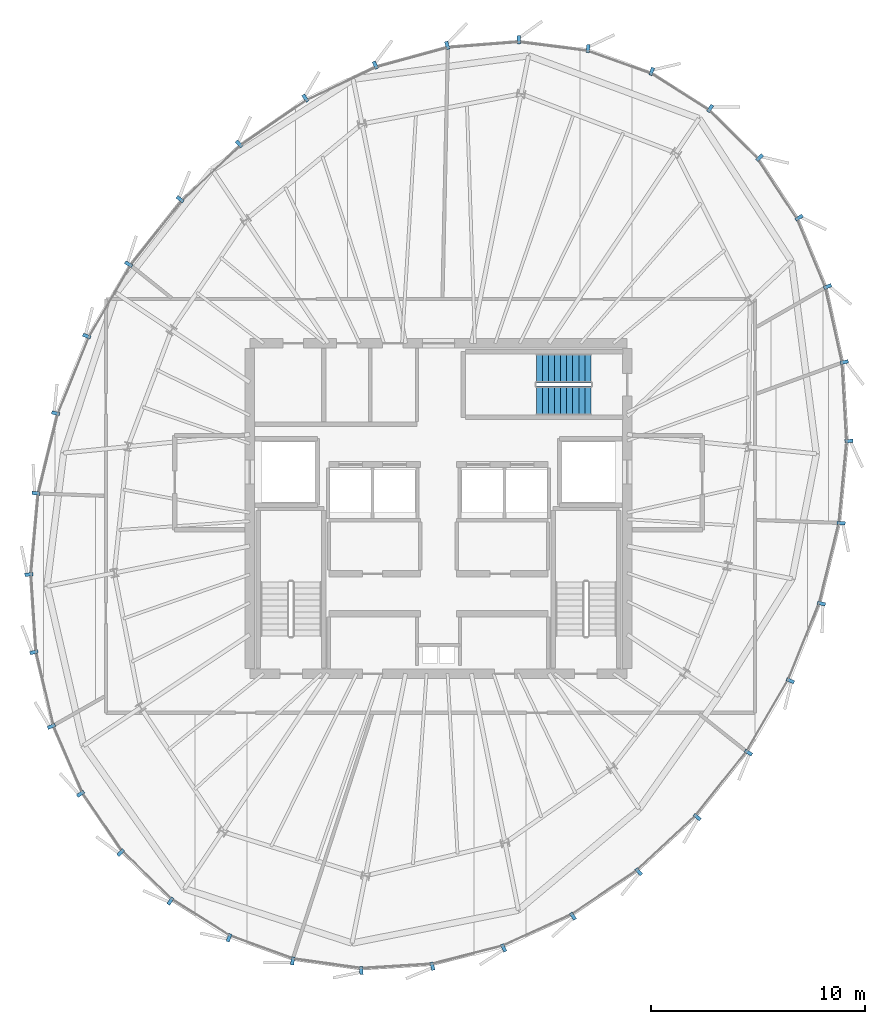
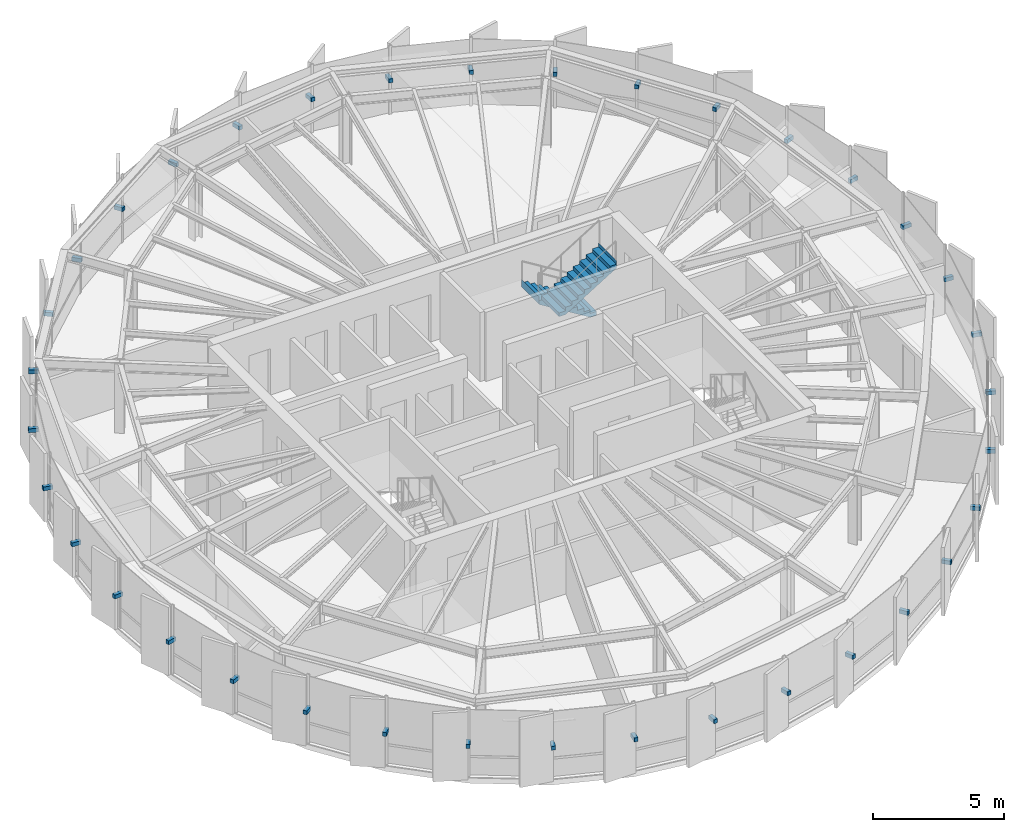
# One storey, part 27 of 31: 36 discrete accessories, 2 stair flights, 1 element without a shape of its own.
"""IFC4 building model written with IfcOpenShell, lengths in metres."""

from ifc_helpers import new_model, si_unit, direction, frame, origin, origin_2d, place, context, subcontext, project, spatial, polyline, rectangle, outline, extrude, source, transform, mapped, material, type_object, element, aggregate, save


model = new_model("IFC4")

# Units and contexts
model_context = context("Model", 3, precision=1e-05, world=origin(), true_north=direction((0.0, 1.0)))
body_context = subcontext(model_context, "Body", "Model", "MODEL_VIEW")
ifc_project = project(units=[si_unit("LENGTHUNIT", "METRE"), si_unit("AREAUNIT", "SQUARE_METRE"), si_unit("VOLUMEUNIT", "CUBIC_METRE"), si_unit("PLANEANGLEUNIT", "RADIAN"), si_unit("MASSUNIT", "GRAM", prefix="KILO"), si_unit("THERMODYNAMICTEMPERATUREUNIT", "KELVIN")], contexts=[model_context])

# Site, building, storey
site_placement = place(None, origin())
site = spatial("IfcSite", under=ifc_project, at=site_placement, CompositionType="ELEMENT")
building_placement = place(site_placement, origin())
building = spatial("IfcBuilding", under=site, at=building_placement, Name="Kethvar Cultural Tower", CompositionType="ELEMENT")
storey_placement = place(building_placement, frame((0.0, 0.0, 290.5)))
storey = spatial("IfcBuildingStorey", under=building, at=storey_placement, Name="L77", CompositionType="ELEMENT", Elevation=290.5)

# Stair, stair flights
ifc_material_1 = material(Name="Concrete C40/50", Category="concrete")
stair_type = type_object("IfcStairType", Name="ST-DOGLEG-135", PredefinedType="HALF_TURN_STAIR", material=ifc_material_1)
stair_placement = place(storey_placement, origin())
stair = element("IfcStair", 1, at=stair_placement, inside=storey, type_object=stair_type, Name="L77 Core Exit Stair 3", PredefinedType="HALF_TURN_STAIR")
stair_flight_type = type_object("IfcStairFlightType", Name="FL-STRAIGHT-135", PredefinedType="STRAIGHT", material=ifc_material_1)
stair_flight_1_placement = place(storey_placement, frame((53.89990234375, 34.3349609375, 0.0), z_axis=(0.0, 0.0, 1.0), x_axis=(-1.0, 0.0, 0.0)))
stair_flight_1 = element("IfcStairFlight", 2, at=stair_flight_1_placement, type_object=stair_flight_type, Name="ST-03 flight 1", NumberOfRisers=10, NumberOfTreads=9, PredefinedType="STRAIGHT", RiserHeight=0.1725, TreadLength=0.28, context=body_context, shape_type="SweptSolid", body=[
    extrude(outline(polyline([(-0.0009765625, -0.0009765625), (-0.0009765625, 0.172607421875), (0.280029296875, 0.172607421875), (0.280029296875, 0.344970703125), (0.56005859375, 0.344970703125), (0.56005859375, 0.517578125), (0.840087890625, 0.517578125), (0.840087890625, 0.68994140625), (1.1201171875, 0.68994140625), (1.1201171875, 0.862548828125), (1.39990234375, 0.862548828125), (1.39990234375, 1.034912109375), (1.679931640625, 1.034912109375), (1.679931640625, 1.20751953125), (1.9599609375, 1.20751953125), (1.9599609375, 1.3798828125), (2.239990234375, 1.3798828125), (2.239990234375, 1.552490234375), (2.52001953125, 1.552490234375), (2.52001953125, 1.72509765625), (2.52099609375, 1.72509765625), (2.52099609375, 1.37646484375), (0.285888671875, 0.0), (0.0, -0.0009765625), (-0.0009765625, -0.0009765625)])), frame((0.0, 0.675048828125, 0.0), z_axis=(0.0, -1.0, 0.0), x_axis=(1.0, 0.0, 0.0)), (0.0, 0.0, 1.0), 1.35009765625),
])
stair_flight_2_placement = place(storey_placement, frame((51.3798828125, 32.824951171875, 1.72509765625), z_axis=(0.0, 0.0, 1.0), x_axis=(1.0, 0.0, 0.0)))
stair_flight_2 = element("IfcStairFlight", 3, at=stair_flight_2_placement, type_object=stair_flight_type, Name="ST-03 flight 2", NumberOfRisers=10, NumberOfTreads=9, PredefinedType="STRAIGHT", RiserHeight=0.1725, TreadLength=0.28, context=body_context, shape_type="SweptSolid", body=[
    extrude(outline(polyline([(-0.0009765625, -0.0009765625), (-0.0009765625, 0.172607421875), (0.280029296875, 0.172607421875), (0.280029296875, 0.344970703125), (0.56005859375, 0.344970703125), (0.56005859375, 0.517578125), (0.840087890625, 0.517578125), (0.840087890625, 0.68994140625), (1.1201171875, 0.68994140625), (1.1201171875, 0.862548828125), (1.39990234375, 0.862548828125), (1.39990234375, 1.034912109375), (1.679931640625, 1.034912109375), (1.679931640625, 1.20751953125), (1.9599609375, 1.20751953125), (1.9599609375, 1.3798828125), (2.239990234375, 1.3798828125), (2.239990234375, 1.552490234375), (2.52001953125, 1.552490234375), (2.52001953125, 1.72509765625), (2.52099609375, 1.72509765625), (2.52099609375, 1.37646484375), (0.285888671875, 0.0), (0.0, -0.0009765625), (-0.0009765625, -0.0009765625)])), frame((0.0, 0.675048828125, 0.0), z_axis=(0.0, -1.0, 0.0), x_axis=(1.0, 0.0, 0.0)), (0.0, 0.0, 1.0), 1.35009765625),
])
aggregate(stair, [stair_flight_1, stair_flight_2])

# Discrete accessories
ifc_material_2 = material(Name="Steel S355J2", Category="steel")
discrete_accessory_type = type_object("IfcDiscreteAccessoryType", Name="Steel Fin Bracket BRK-01", PredefinedType="BRACKET", material=ifc_material_2)
shared_shape = source(origin(), body_context, "Body", "SweptSolid", [
    extrude(rectangle(XDim=0.3798828125, YDim=0.159912109375, at=origin_2d()), origin(), (0.0, 0.0, 1.0), 0.179931640625),
])
for number, where, z_axis, x_axis, name in (
    (4, (56.7421875, 48.177490234375, 1.51513671875), (0.0, 0.0, 1.0), (0.337752446654, 0.941234978514, 0.0), "L77 Terracotta Fin Bracket 1.1"),
    (5, (53.771484375, 49.2431640625, 1.51513671875), (0.0, 0.0, 1.0), (0.12671836439, 0.991938736075, 0.0), "L77 Terracotta Fin Bracket 1.2"),
    (6, (50.548583984375, 49.655029296875, 1.51513671875), (0.0, 0.0, 1.0), (-0.077937100301, 0.996958278162, 0.0), "L77 Terracotta Fin Bracket 1.3"),
    (7, (47.20751953125, 49.3935546875, 1.51513671875), (0.0, 0.0, 1.0), (-0.264378054854, 0.964419122639, 0.0), "L77 Terracotta Fin Bracket 1.4"),
    (8, (43.853515625, 48.47412109375, 1.51513671875), (0.0, 0.0, 1.0), (-0.427200064707, 0.904157123908, 0.0), "L77 Terracotta Fin Bracket 1.5"),
    (9, (40.592041015625, 46.932861328125, 1.51513671875), (0.0, 0.0, 1.0), (-0.56669387672, 0.823928425343, 0.0), "L77 Terracotta Fin Bracket 1.6"),
    (10, (37.499755859375, 44.799560546875, 1.51513671875), (0.0, 0.0, 1.0), (-0.684674324529, 0.72884914031, 0.0), "L77 Terracotta Fin Bracket 2.1"),
    (11, (34.75048828125, 42.216796875, 1.51513671875), (0.0, 0.0, 1.0), (-0.783476588107, 0.621421303053, 0.0), "L77 Terracotta Fin Bracket 2.2"),
    (12, (32.350830078125, 39.190673828125, 1.51513671875), (0.0, 0.0, 1.0), (-0.864274801954, 0.50301994663, 0.0), "L77 Terracotta Fin Bracket 2.3"),
    (13, (30.397705078125, 35.83447265625, 1.51513671875), (0.0, 0.0, 1.0), (-0.927183854567, 0.374606593416, 0.0), "L77 Terracotta Fin Bracket 2.4"),
    (14, (28.9453125, 32.23876953125, 1.51513671875), (0.0, 0.0, 1.0), (-0.971507769146, 0.237007709767, 0.0), "L77 Terracotta Fin Bracket 2.5"),
    (15, (28.03515625, 28.508056640625, 1.51513671875), (0.0, 0.0, 1.0), (-0.995915974681, 0.090284945449, 0.0), "L77 Terracotta Fin Bracket 2.6"),
    (16, (27.697509765625, 24.72021484375, 1.51513671875), (0.0, 0.0, 1.0), (-0.997847493041, -0.06557728747, 0.0), "L77 Terracotta Fin Bracket 3.1"),
    (17, (27.935546875, 21.095947265625, 1.51513671875), (0.0, 0.0, 1.0), (-0.97341924665, -0.229030500703, 0.0), "L77 Terracotta Fin Bracket 3.2"),
    (18, (28.749267578125, 17.6396484375, 1.51513671875), (0.0, 0.0, 1.0), (-0.917754625684, -0.397147890635, 0.0), "L77 Terracotta Fin Bracket 3.3"),
    (19, (30.111328125, 14.491943359375, 1.51513671875), (0.0, 0.0, 1.0), (-0.826393242792, -0.563093427655, 0.0), "L77 Terracotta Fin Bracket 3.4"),
    (20, (31.980712890625, 11.74853515625, 1.51513671875), (0.0, 0.0, 1.0), (-0.697165102855, -0.71691060765, 0.0), "L77 Terracotta Fin Bracket 3.5"),
    (21, (34.300537109375, 9.492919921875, 1.51513671875), (0.0, 0.0, 1.0), (-0.532728579387, -0.846286157694, 0.0), "L77 Terracotta Fin Bracket 3.6"),
    (22, (37.033935546875, 7.781494140625, 1.51513671875), (0.0, 0.0, 1.0), (-0.342184145417, -0.939632912698, 0.0), "L77 Terracotta Fin Bracket 4.1"),
    (23, (39.997802734375, 6.702392578125, 1.51513671875), (0.0, 0.0, 1.0), (-0.13917310096, -0.990268068742, 0.0), "L77 Terracotta Fin Bracket 4.2"),
    (24, (43.20166015625, 6.25244140625, 1.51513671875), (0.0, 0.0, 1.0), (0.061571153301, -0.998102696661, 0.0), "L77 Terracotta Fin Bracket 4.3"),
    (25, (46.51513671875, 6.457275390625, 1.51513671875), (0.0, 0.0, 1.0), (0.248689887165, -0.968583161129, 0.0), "L77 Terracotta Fin Bracket 4.4"),
    (26, (49.8369140625, 7.310302734375, 1.51513671875), (0.0, 0.0, 1.0), (0.415487175664, -0.909599036311, 0.0), "L77 Terracotta Fin Bracket 4.5"),
    (27, (53.06640625, 8.7861328125, 1.51513671875), (0.0, 0.0, 1.0), (0.559771544562, -0.828646980263, 0.0), "L77 Terracotta Fin Bracket 4.6"),
    (28, (56.131591796875, 10.86376953125, 1.51513671875), (0.0, 0.0, 1.0), (0.681743027916, -0.731591719395, 0.0), "L77 Terracotta Fin Bracket 5.1"),
    (29, (58.861572265625, 13.407958984375, 1.51513671875), (0.0, 0.0, 1.0), (0.782716794233, -0.622378036266, 0.0), "L77 Terracotta Fin Bracket 5.2"),
    (30, (61.25146484375, 16.413818359375, 1.51513671875), (0.0, 0.0, 1.0), (0.864274801954, -0.50301994663, 0.0), "L77 Terracotta Fin Bracket 5.3"),
    (31, (63.2021484375, 19.765380859375, 1.51513671875), (0.0, 0.0, 1.0), (0.927183854567, -0.374606593416, 0.0), "L77 Terracotta Fin Bracket 5.4"),
    (32, (64.656982421875, 23.36572265625, 1.51513671875), (0.0, 0.0, 1.0), (0.971217484627, -0.23819445324, 0.0), "L77 Terracotta Fin Bracket 5.5"),
    (33, (65.576904296875, 27.116455078125, 1.51513671875), (0.0, 0.0, 1.0), (0.995545524441, -0.094282070226, 0.0), "L77 Terracotta Fin Bracket 5.6"),
    (34, (65.933837890625, 30.943359375, 1.51513671875), (0.0, 0.0, 1.0), (0.998361849427, 0.057215536424, 0.0), "L77 Terracotta Fin Bracket 6.1"),
    (35, (65.72265625, 34.622802734375, 1.51513671875), (0.0, 0.0, 1.0), (0.976258216411, 0.216610006439, 0.0), "L77 Terracotta Fin Bracket 6.2"),
    (36, (64.941162109375, 38.144775390625, 1.51513671875), (0.0, 0.0, 1.0), (0.92401305794, 0.382360914263, 0.0), "L77 Terracotta Fin Bracket 6.3"),
    (37, (63.611328125, 41.358642578125, 1.51513671875), (0.0, 0.0, 1.0), (0.835519779135, 0.54946037043, 0.0), "L77 Terracotta Fin Bracket 6.4"),
    (38, (61.77001953125, 44.15869140625, 1.51513671875), (0.0, 0.0, 1.0), (0.705995188551, 0.708216629106, 0.0), "L77 Terracotta Fin Bracket 6.5"),
    (39, (59.46875, 46.45263671875, 1.51513671875), (0.0, 0.0, 1.0), (0.536710679153, 0.843766346142, 0.0), "L77 Terracotta Fin Bracket 6.6"),
):
    element("IfcDiscreteAccessory", number, at=place(storey_placement, frame(where, z_axis=z_axis, x_axis=x_axis)), inside=storey, type_object=discrete_accessory_type, Name=name, PredefinedType="BRACKET", context=body_context, shape_type="MappedRepresentation", body=[
        mapped(shared_shape, transform((0.0, 0.0, 0.0), scale=1.0)),
    ])

save(model, "model.ifc")
